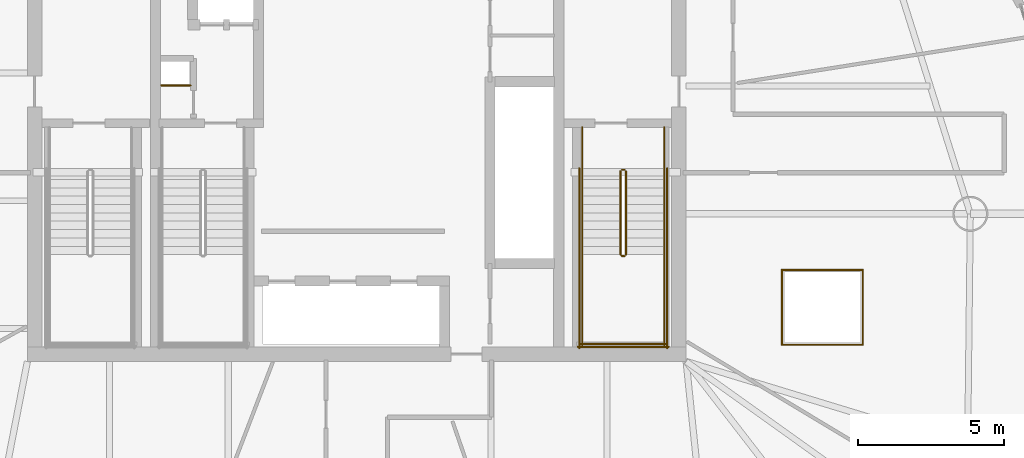
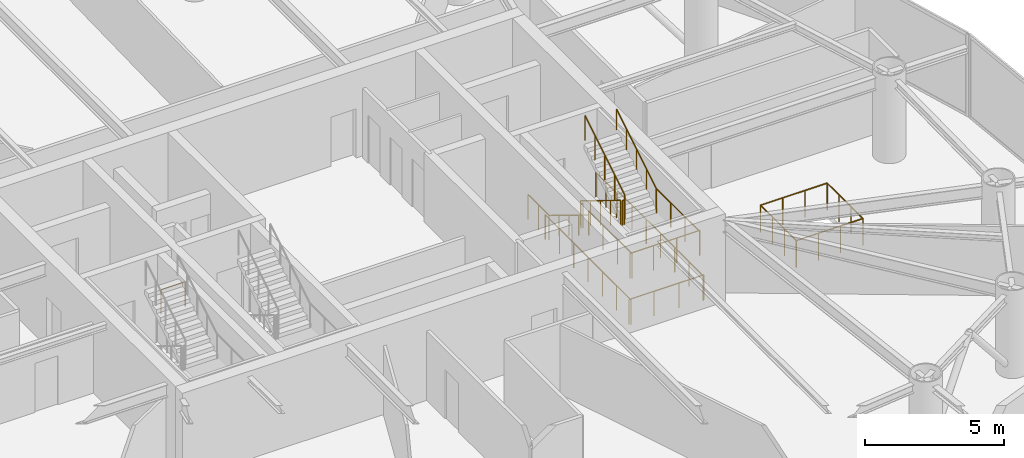
# One storey, part 20 of 21: 19 railings.
"""IFC4 building model written with IfcOpenShell, lengths in metres."""

from ifc_helpers import new_model, si_unit, direction, frame, origin, origin_2d, place, context, subcontext, project, spatial, circle, extrude, material, type_object, element, save


model = new_model("IFC4")

# Units and contexts
model_context = context("Model", 3, precision=1e-05, world=origin(), true_north=direction((0.0, 1.0)))
body_context = subcontext(model_context, "Body", "Model", "MODEL_VIEW")
ifc_project = project(units=[si_unit("LENGTHUNIT", "METRE"), si_unit("AREAUNIT", "SQUARE_METRE"), si_unit("VOLUMEUNIT", "CUBIC_METRE"), si_unit("PLANEANGLEUNIT", "RADIAN"), si_unit("MASSUNIT", "GRAM", prefix="KILO")], contexts=[model_context])

# Site, building, storey
site_placement = place(None, origin())
site = spatial("IfcSite", under=ifc_project, at=site_placement, CompositionType="ELEMENT")
building_placement = place(site_placement, origin())
building = spatial("IfcBuilding", under=site, at=building_placement, Name="Bramvorn Convention Spire", CompositionType="ELEMENT")
storey_placement = place(building_placement, frame((0.0, 0.0, 186.60009765625)))
storey = spatial("IfcBuildingStorey", under=building, at=storey_placement, Name="L47", CompositionType="ELEMENT", Elevation=186.60009765625)

# Railings
ifc_material_1 = material(Name="Warm Bronze Perforated Metal & Glass Balustrade", Category="glass")
railing_type_1 = type_object("IfcRailingType", Name="RL-POD-BALUSTRADE-1200", PredefinedType="BALUSTRADE", material=ifc_material_1)
railing_1_placement = place(storey_placement, frame((52.52001953125, 19.1201171875, 0.0)))
element("IfcRailing", 1, at=railing_1_placement, inside=storey, type_object=railing_type_1, Name="L47 Feature atrium void balustrade 1", PredefinedType="BALUSTRADE", context=body_context, shape_type="SweptSolid", body=[
    extrude(circle(Radius=0.02392578125, at=origin_2d()), frame((0.0, 0.0, 1.17578125), z_axis=(1.0, 0.0, 0.0), x_axis=(0.0, 1.0, 0.0)), (0.0, 0.0, 1.0), 2.760009765625),
    extrude(circle(Radius=0.02099609375, at=origin_2d()), origin(), (0.0, 0.0, 1.0), 1.15185546875),
    extrude(circle(Radius=0.02099609375, at=origin_2d()), frame((0.919921875, 0.0, 0.0)), (0.0, 0.0, 1.0), 1.15185546875),
    extrude(circle(Radius=0.02099609375, at=origin_2d()), frame((1.840087890625, 0.0, 0.0)), (0.0, 0.0, 1.0), 1.15185546875),
    extrude(circle(Radius=0.02099609375, at=origin_2d()), frame((2.760009765625, 0.0, 0.0)), (0.0, 0.0, 1.0), 1.15185546875),
])
railing_2_placement = place(storey_placement, frame((55.280029296875, 19.1201171875, 0.0)))
element("IfcRailing", 2, at=railing_2_placement, inside=storey, type_object=railing_type_1, Name="L47 Feature atrium void balustrade 2", PredefinedType="BALUSTRADE", context=body_context, shape_type="SweptSolid", body=[
    extrude(circle(Radius=0.02392578125, at=origin_2d()), frame((0.0, 0.0, 1.17578125), z_axis=(0.0, 1.0, 0.0), x_axis=(-1.0, 0.0, 0.0)), (0.0, 0.0, 1.0), 2.559814453125),
    extrude(circle(Radius=0.02099609375, at=origin_2d()), origin(), (0.0, 0.0, 1.0), 1.15185546875),
    extrude(circle(Radius=0.02099609375, at=origin_2d()), frame((0.0, 0.853271484375, 0.0)), (0.0, 0.0, 1.0), 1.15185546875),
    extrude(circle(Radius=0.02099609375, at=origin_2d()), frame((0.0, 1.70654296875, 0.0)), (0.0, 0.0, 1.0), 1.15185546875),
    extrude(circle(Radius=0.02099609375, at=origin_2d()), frame((0.0, 2.559814453125, 0.0)), (0.0, 0.0, 1.0), 1.15185546875),
])
railing_3_placement = place(storey_placement, frame((55.280029296875, 21.679931640625, 0.0)))
element("IfcRailing", 3, at=railing_3_placement, inside=storey, type_object=railing_type_1, Name="L47 Feature atrium void balustrade 3", PredefinedType="BALUSTRADE", context=body_context, shape_type="SweptSolid", body=[
    extrude(circle(Radius=0.02392578125, at=origin_2d()), frame((0.0, 0.0, 1.17578125), z_axis=(-1.0, 0.0, 0.0), x_axis=(0.0, -1.0, 0.0)), (0.0, 0.0, 1.0), 2.760009765625),
    extrude(circle(Radius=0.02099609375, at=origin_2d()), origin(), (0.0, 0.0, 1.0), 1.15185546875),
    extrude(circle(Radius=0.02099609375, at=origin_2d()), frame((-0.919921875, 0.0, 0.0)), (0.0, 0.0, 1.0), 1.15185546875),
    extrude(circle(Radius=0.02099609375, at=origin_2d()), frame((-1.840087890625, 0.0, 0.0)), (0.0, 0.0, 1.0), 1.15185546875),
    extrude(circle(Radius=0.02099609375, at=origin_2d()), frame((-2.760009765625, 0.0, 0.0)), (0.0, 0.0, 1.0), 1.15185546875),
])
railing_4_placement = place(storey_placement, frame((52.52001953125, 21.679931640625, 0.0)))
element("IfcRailing", 4, at=railing_4_placement, inside=storey, type_object=railing_type_1, Name="L47 Feature atrium void balustrade 4", PredefinedType="BALUSTRADE", context=body_context, shape_type="SweptSolid", body=[
    extrude(circle(Radius=0.02392578125, at=origin_2d()), frame((0.0, 0.0, 1.17578125), z_axis=(0.0, -1.0, 0.0), x_axis=(1.0, 0.0, 0.0)), (0.0, 0.0, 1.0), 2.559814453125),
    extrude(circle(Radius=0.02099609375, at=origin_2d()), origin(), (0.0, 0.0, 1.0), 1.15185546875),
    extrude(circle(Radius=0.02099609375, at=origin_2d()), frame((0.0, -0.853271484375, 0.0)), (0.0, 0.0, 1.0), 1.15185546875),
    extrude(circle(Radius=0.02099609375, at=origin_2d()), frame((0.0, -1.70654296875, 0.0)), (0.0, 0.0, 1.0), 1.15185546875),
    extrude(circle(Radius=0.02099609375, at=origin_2d()), frame((0.0, -2.559814453125, 0.0)), (0.0, 0.0, 1.0), 1.15185546875),
])
ifc_material_2 = material(Name="Painted Steel Balustrade & Guardrail", Category="steel")
railing_type_2 = type_object("IfcRailingType", Name="RL-STAIR-GUARD-1100", PredefinedType="GUARDRAIL", material=ifc_material_2)
railing_5_placement = place(storey_placement, frame((47.010009765625, 25.050048828125, 0.1748046875)))
element("IfcRailing", 5, at=railing_5_placement, inside=storey, type_object=railing_type_2, Name="L47 ST2 stair guard 1", PredefinedType="GUARDRAIL", context=body_context, shape_type="SweptSolid", body=[
    extrude(circle(Radius=0.02392578125, at=origin_2d()), frame((0.0, 0.0, 1.076171875), z_axis=(0.0, -0.852179220489, 0.52325001306), x_axis=(1.0, 0.0, 0.0)), (0.0, 0.0, 1.0), 3.344482421875),
    extrude(circle(Radius=0.02099609375, at=origin_2d()), origin(), (0.0, 0.0, 1.0), 1.052001953125),
    extrude(circle(Radius=0.02099609375, at=origin_2d()), frame((0.0, -0.71240234375, 0.4375)), (0.0, 0.0, 1.0), 1.052001953125),
    extrude(circle(Radius=0.02099609375, at=origin_2d()), frame((0.0, -1.425048828125, 0.875)), (0.0, 0.0, 1.0), 1.052001953125),
    extrude(circle(Radius=0.02099609375, at=origin_2d()), frame((0.0, -2.1376953125, 1.3125)), (0.0, 0.0, 1.0), 1.052001953125),
    extrude(circle(Radius=0.02099609375, at=origin_2d()), frame((0.0, -2.85009765625, 1.75)), (0.0, 0.0, 1.0), 1.052001953125),
])
railing_6_placement = place(storey_placement, frame((47.06005859375, 22.14990234375, 1.9248046875)))
element("IfcRailing", 6, at=railing_6_placement, inside=storey, type_object=railing_type_2, Name="L47 ST2 stair guard 2", PredefinedType="GUARDRAIL", context=body_context, shape_type="SweptSolid", body=[
    extrude(circle(Radius=0.02392578125, at=origin_2d()), frame((0.0, 0.0, 1.076171875), z_axis=(1.0, 0.0, 0.0), x_axis=(0.0, 1.0, 0.0)), (0.0, 0.0, 1.0), 0.079833984375),
    extrude(circle(Radius=0.02099609375, at=origin_2d()), origin(), (0.0, 0.0, 1.0), 1.052001953125),
    extrude(circle(Radius=0.02099609375, at=origin_2d()), frame((0.079833984375, 0.0, 0.0)), (0.0, 0.0, 1.0), 1.052001953125),
])
for number, where, name in (
    (7, (45.699951171875, 22.199951171875, 1.9248046875), "L47 ST2 stair guard 3"),
    (8, (48.5, 22.199951171875, 1.9248046875), "L47 ST2 stair guard 4"),
):
    element("IfcRailing", number, at=place(storey_placement, frame(where)), inside=storey, type_object=railing_type_2, Name=name, PredefinedType="GUARDRAIL", context=body_context, shape_type="SweptSolid", body=[
        extrude(circle(Radius=0.02392578125, at=origin_2d()), frame((0.0, 0.0, 1.076171875), z_axis=(0.0, -1.0, 0.0), x_axis=(1.0, 0.0, 0.0)), (0.0, 0.0, 1.0), 3.099853515625),
        extrude(circle(Radius=0.02099609375, at=origin_2d()), origin(), (0.0, 0.0, 1.0), 1.052001953125),
        extrude(circle(Radius=0.02099609375, at=origin_2d()), frame((0.0, -1.033203125, 0.0)), (0.0, 0.0, 1.0), 1.052001953125),
        extrude(circle(Radius=0.02099609375, at=origin_2d()), frame((0.0, -2.066650390625, 0.0)), (0.0, 0.0, 1.0), 1.052001953125),
        extrude(circle(Radius=0.02099609375, at=origin_2d()), frame((0.0, -3.099853515625, 0.0)), (0.0, 0.0, 1.0), 1.052001953125),
    ])
railing_7_placement = place(storey_placement, frame((45.64990234375, 19.14990234375, 1.9248046875)))
element("IfcRailing", 9, at=railing_7_placement, inside=storey, type_object=railing_type_2, Name="L47 ST2 stair guard 5", PredefinedType="GUARDRAIL", context=body_context, shape_type="SweptSolid", body=[
    extrude(circle(Radius=0.02392578125, at=origin_2d()), frame((0.0, 0.0, 1.076171875), z_axis=(1.0, 0.0, 0.0), x_axis=(0.0, 1.0, 0.0)), (0.0, 0.0, 1.0), 2.900146484375),
    extrude(circle(Radius=0.02099609375, at=origin_2d()), origin(), (0.0, 0.0, 1.0), 1.052001953125),
    extrude(circle(Radius=0.02099609375, at=origin_2d()), frame((0.966796875, 0.0, 0.0)), (0.0, 0.0, 1.0), 1.052001953125),
    extrude(circle(Radius=0.02099609375, at=origin_2d()), frame((1.933349609375, 0.0, 0.0)), (0.0, 0.0, 1.0), 1.052001953125),
    extrude(circle(Radius=0.02099609375, at=origin_2d()), frame((2.900146484375, 0.0, 0.0)), (0.0, 0.0, 1.0), 1.052001953125),
])
railing_8_placement = place(storey_placement, frame((47.18994140625, 22.199951171875, 2.099853515625)))
element("IfcRailing", 10, at=railing_8_placement, inside=storey, type_object=railing_type_2, Name="L47 ST2 stair guard 6", PredefinedType="GUARDRAIL", context=body_context, shape_type="SweptSolid", body=[
    extrude(circle(Radius=0.02392578125, at=origin_2d()), frame((0.0, 0.0, 1.076171875), z_axis=(0.0, 0.852179220489, 0.52325001306), x_axis=(-1.0, 0.0, 0.0)), (0.0, 0.0, 1.0), 3.344482421875),
    extrude(circle(Radius=0.02099609375, at=origin_2d()), origin(), (0.0, 0.0, 1.0), 1.052001953125),
    extrude(circle(Radius=0.02099609375, at=origin_2d()), frame((0.0, 0.71240234375, 0.4375)), (0.0, 0.0, 1.0), 1.052001953125),
    extrude(circle(Radius=0.02099609375, at=origin_2d()), frame((0.0, 1.425048828125, 0.875)), (0.0, 0.0, 1.0), 1.052001953125),
    extrude(circle(Radius=0.02099609375, at=origin_2d()), frame((0.0, 2.1376953125, 1.3125)), (0.0, 0.0, 1.0), 1.052001953125),
    extrude(circle(Radius=0.02099609375, at=origin_2d()), frame((0.0, 2.85009765625, 1.75)), (0.0, 0.0, 1.0), 1.052001953125),
])
railing_9_placement = place(storey_placement, frame((47.06005859375, 25.10009765625, 0.0)))
element("IfcRailing", 11, at=railing_9_placement, inside=storey, type_object=railing_type_2, Name="L47 ST2 stair guard 7", PredefinedType="GUARDRAIL", context=body_context, shape_type="SweptSolid", body=[
    extrude(circle(Radius=0.02392578125, at=origin_2d()), frame((0.0, 0.0, 1.076171875), z_axis=(1.0, 0.0, 0.0), x_axis=(0.0, 1.0, 0.0)), (0.0, 0.0, 1.0), 0.079833984375),
    extrude(circle(Radius=0.02099609375, at=origin_2d()), origin(), (0.0, 0.0, 1.0), 1.052001953125),
    extrude(circle(Radius=0.02099609375, at=origin_2d()), frame((0.079833984375, 0.0, 0.0)), (0.0, 0.0, 1.0), 1.052001953125),
])
for number, where, name in (
    (12, (45.699951171875, 26.550048828125, 0.0), "L47 ST2 stair guard 8"),
    (13, (48.5, 26.550048828125, 0.0), "L47 ST2 stair guard 9"),
):
    element("IfcRailing", number, at=place(storey_placement, frame(where)), inside=storey, type_object=railing_type_2, Name=name, PredefinedType="GUARDRAIL", context=body_context, shape_type="SweptSolid", body=[
        extrude(circle(Radius=0.02392578125, at=origin_2d()), frame((0.0, 0.0, 1.076171875), z_axis=(0.0, -1.0, 0.0), x_axis=(1.0, 0.0, 0.0)), (0.0, 0.0, 1.0), 1.5),
        extrude(circle(Radius=0.02099609375, at=origin_2d()), origin(), (0.0, 0.0, 1.0), 1.052001953125),
        extrude(circle(Radius=0.02099609375, at=origin_2d()), frame((0.0, -0.75, 0.0)), (0.0, 0.0, 1.0), 1.052001953125),
        extrude(circle(Radius=0.02099609375, at=origin_2d()), frame((0.0, -1.5, 0.0)), (0.0, 0.0, 1.0), 1.052001953125),
    ])
for number, where, name in (
    (14, (45.60009765625, 25.14990234375, 0.0), "L47 ST2 stair guard 10"),
    (15, (48.60009765625, 25.14990234375, 0.0), "L47 ST2 stair guard 11"),
):
    element("IfcRailing", number, at=place(storey_placement, frame(where)), inside=storey, type_object=railing_type_2, Name=name, PredefinedType="GUARDRAIL", context=body_context, shape_type="SweptSolid", body=[
        extrude(circle(Radius=0.02392578125, at=origin_2d()), frame((0.0, 0.0, 1.076171875), z_axis=(0.0, -1.0, 0.0), x_axis=(1.0, 0.0, 0.0)), (0.0, 0.0, 1.0), 6.14990234375),
        extrude(circle(Radius=0.02099609375, at=origin_2d()), origin(), (0.0, 0.0, 1.0), 1.052001953125),
        extrude(circle(Radius=0.02099609375, at=origin_2d()), frame((0.0, -1.02490234375, 0.0)), (0.0, 0.0, 1.0), 1.052001953125),
        extrude(circle(Radius=0.02099609375, at=origin_2d()), frame((0.0, -2.050048828125, 0.0)), (0.0, 0.0, 1.0), 1.052001953125),
        extrude(circle(Radius=0.02099609375, at=origin_2d()), frame((0.0, -3.074951171875, 0.0)), (0.0, 0.0, 1.0), 1.052001953125),
        extrude(circle(Radius=0.02099609375, at=origin_2d()), frame((0.0, -4.099853515625, 0.0)), (0.0, 0.0, 1.0), 1.052001953125),
        extrude(circle(Radius=0.02099609375, at=origin_2d()), frame((0.0, -5.125, 0.0)), (0.0, 0.0, 1.0), 1.052001953125),
        extrude(circle(Radius=0.02099609375, at=origin_2d()), frame((0.0, -6.14990234375, 0.0)), (0.0, 0.0, 1.0), 1.052001953125),
    ])
railing_10_placement = place(storey_placement, frame((45.550048828125, 19.050048828125, 0.0)))
element("IfcRailing", 16, at=railing_10_placement, inside=storey, type_object=railing_type_2, Name="L47 ST2 stair guard 12", PredefinedType="GUARDRAIL", context=body_context, shape_type="SweptSolid", body=[
    extrude(circle(Radius=0.02392578125, at=origin_2d()), frame((0.0, 0.0, 1.076171875), z_axis=(1.0, 0.0, 0.0), x_axis=(0.0, 1.0, 0.0)), (0.0, 0.0, 1.0), 3.099853515625),
    extrude(circle(Radius=0.02099609375, at=origin_2d()), origin(), (0.0, 0.0, 1.0), 1.052001953125),
    extrude(circle(Radius=0.02099609375, at=origin_2d()), frame((1.033203125, 0.0, 0.0)), (0.0, 0.0, 1.0), 1.052001953125),
    extrude(circle(Radius=0.02099609375, at=origin_2d()), frame((2.066650390625, 0.0, 0.0)), (0.0, 0.0, 1.0), 1.052001953125),
    extrude(circle(Radius=0.02099609375, at=origin_2d()), frame((3.099853515625, 0.0, 0.0)), (0.0, 0.0, 1.0), 1.052001953125),
])
railing_11_placement = place(storey_placement, frame((31.320068359375, 27.97998046875, 0.0)))
element("IfcRailing", 17, at=railing_11_placement, inside=storey, type_object=railing_type_2, Name="L47 Telecom riser shaft opening safety guardrail", PredefinedType="GUARDRAIL", context=body_context, shape_type="SweptSolid", body=[
    extrude(circle(Radius=0.02392578125, at=origin_2d()), frame((0.0, 0.0, 1.076171875), z_axis=(1.0, 0.0, 0.0), x_axis=(0.0, 1.0, 0.0)), (0.0, 0.0, 1.0), 1.0),
    extrude(circle(Radius=0.02099609375, at=origin_2d()), origin(), (0.0, 0.0, 1.0), 1.052001953125),
    extrude(circle(Radius=0.02099609375, at=origin_2d()), frame((1.0, 0.0, 0.0)), (0.0, 0.0, 1.0), 1.052001953125),
])
ifc_material_3 = material(Name="Brushed Bronze Tubular Handrail", Category="aluminium")
railing_type_3 = type_object("IfcRailingType", Name="RL-STAIR-HR-920", PredefinedType="HANDRAIL", material=ifc_material_3)
railing_12_placement = place(storey_placement, frame((45.699951171875, 25.050048828125, 0.1748046875)))
element("IfcRailing", 18, at=railing_12_placement, inside=storey, type_object=railing_type_3, Name="L47 ST2 stair handrail 1", PredefinedType="HANDRAIL", context=body_context, shape_type="SweptSolid", body=[
    extrude(circle(Radius=0.02392578125, at=origin_2d()), frame((0.0, 0.0, 0.89599609375), z_axis=(0.0, -0.852179220489, 0.52325001306), x_axis=(1.0, 0.0, 0.0)), (0.0, 0.0, 1.0), 3.344482421875),
    extrude(circle(Radius=0.02099609375, at=origin_2d()), origin(), (0.0, 0.0, 1.0), 0.871826171875),
    extrude(circle(Radius=0.02099609375, at=origin_2d()), frame((0.0, -0.71240234375, 0.4375)), (0.0, 0.0, 1.0), 0.871826171875),
    extrude(circle(Radius=0.02099609375, at=origin_2d()), frame((0.0, -1.425048828125, 0.875)), (0.0, 0.0, 1.0), 0.871826171875),
    extrude(circle(Radius=0.02099609375, at=origin_2d()), frame((0.0, -2.1376953125, 1.3125)), (0.0, 0.0, 1.0), 0.871826171875),
    extrude(circle(Radius=0.02099609375, at=origin_2d()), frame((0.0, -2.85009765625, 1.75)), (0.0, 0.0, 1.0), 0.871826171875),
])
railing_13_placement = place(storey_placement, frame((48.5, 22.199951171875, 2.099853515625)))
element("IfcRailing", 19, at=railing_13_placement, inside=storey, type_object=railing_type_3, Name="L47 ST2 stair handrail 2", PredefinedType="HANDRAIL", context=body_context, shape_type="SweptSolid", body=[
    extrude(circle(Radius=0.02392578125, at=origin_2d()), frame((0.0, 0.0, 0.89599609375), z_axis=(0.0, 0.852179220489, 0.52325001306), x_axis=(-1.0, 0.0, 0.0)), (0.0, 0.0, 1.0), 3.344482421875),
    extrude(circle(Radius=0.02099609375, at=origin_2d()), origin(), (0.0, 0.0, 1.0), 0.871826171875),
    extrude(circle(Radius=0.02099609375, at=origin_2d()), frame((0.0, 0.71240234375, 0.4375)), (0.0, 0.0, 1.0), 0.871826171875),
    extrude(circle(Radius=0.02099609375, at=origin_2d()), frame((0.0, 1.425048828125, 0.875)), (0.0, 0.0, 1.0), 0.871826171875),
    extrude(circle(Radius=0.02099609375, at=origin_2d()), frame((0.0, 2.1376953125, 1.3125)), (0.0, 0.0, 1.0), 0.871826171875),
    extrude(circle(Radius=0.02099609375, at=origin_2d()), frame((0.0, 2.85009765625, 1.75)), (0.0, 0.0, 1.0), 0.871826171875),
])

save(model, "model.ifc")
